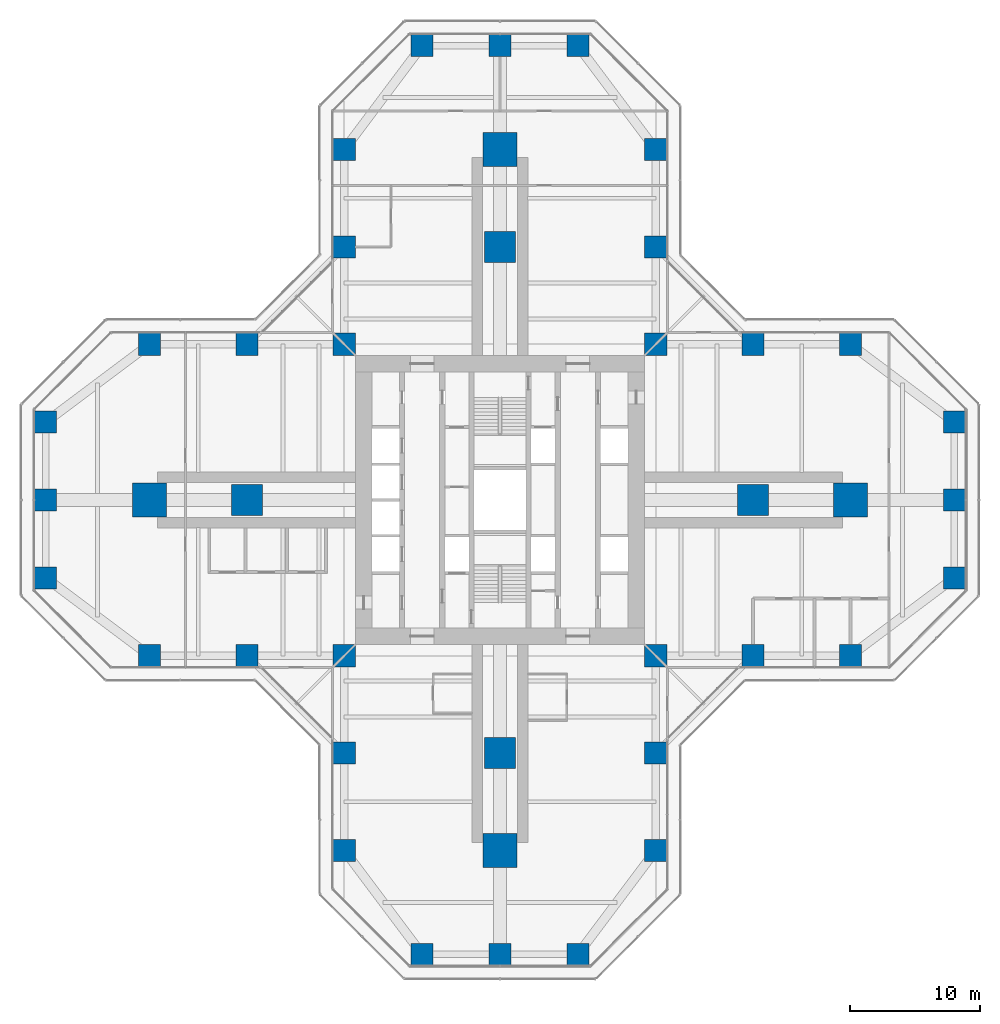
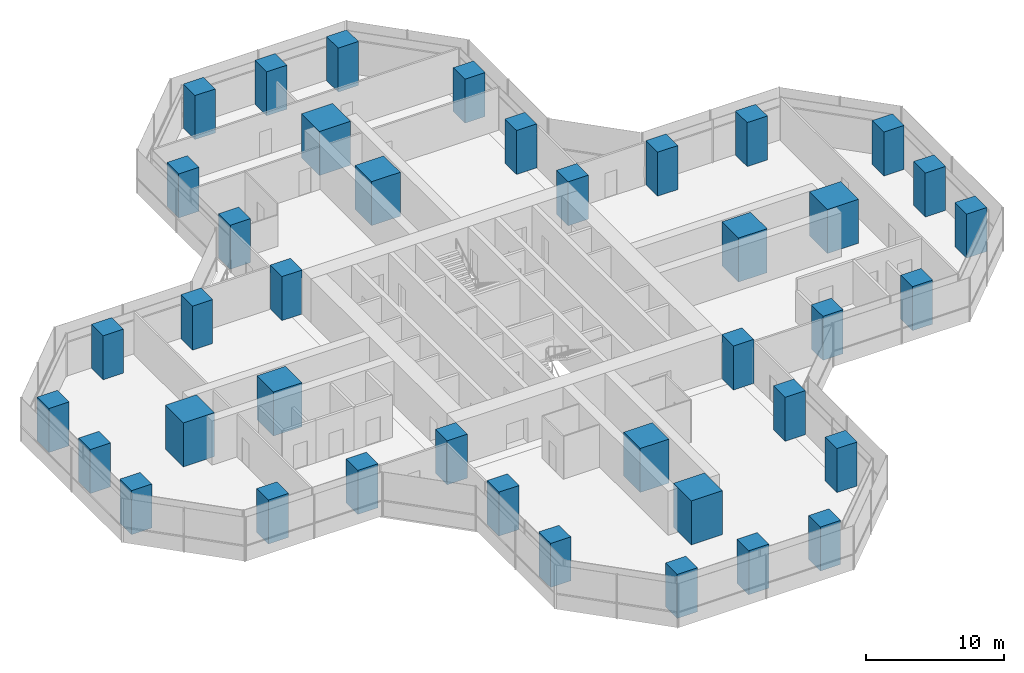
# One storey, part 1 of 22: 40 columns.
"""IFC4 building model written with IfcOpenShell, lengths in metres."""

from ifc_helpers import new_model, si_unit, direction, frame, origin, origin_2d, place, context, subcontext, project, spatial, rectangle, extrude, material, material_profile, profile_set, type_object, element, save


model = new_model("IFC4")

# Units and contexts
model_context = context("Model", 3, precision=1e-05, world=origin(), true_north=direction((0.0, 1.0)))
body_context = subcontext(model_context, "Body", "Model", "MODEL_VIEW")
ifc_project = project(units=[si_unit("LENGTHUNIT", "METRE"), si_unit("AREAUNIT", "SQUARE_METRE"), si_unit("VOLUMEUNIT", "CUBIC_METRE"), si_unit("PLANEANGLEUNIT", "RADIAN"), si_unit("MASSUNIT", "GRAM", prefix="KILO")], contexts=[model_context])

# Site, building, storey
site_placement = place(None, origin())
site = spatial("IfcSite", under=ifc_project, at=site_placement, CompositionType="ELEMENT")
building_placement = place(site_placement, origin())
building = spatial("IfcBuilding", under=site, at=building_placement, Name="Mizan Broadcast Tower", CompositionType="ELEMENT")
storey_placement = place(building_placement, frame((0.0, 0.0, 43.5)))
storey = spatial("IfcBuildingStorey", under=building, at=storey_placement, Name="L07", CompositionType="ELEMENT", Elevation=43.5)

# Columns
ifc_material_1 = material(Name="Concrete C70/85", Category="concrete")
ifc_material_profile_1 = material_profile(ifc_material_1, rectangle(XDim=1.699951171875, YDim=1.699951171875, at=origin_2d()), Name="RC 1700x1700")
ifc_profile_set_1 = profile_set([ifc_material_profile_1], Name="Concrete C70/85")
column_type_1 = type_object("IfcColumnType", Name="RC COLUMN 1700x1700 C70/85", PredefinedType="COLUMN", material=ifc_profile_set_1)
for number, where, z_axis, x_axis, name in (
    (1, (-6.0, -35.0, 0.0), (0.0, 0.0, 1.0), (1.0, 0.0, 0.0), "Column 5/A L07"),
    (2, (0.0, -35.0, 0.0), (0.0, 0.0, 1.0), (1.0, 0.0, 0.0), "Column 6/A L07"),
    (3, (6.0, -35.0, 0.0), (0.0, 0.0, 1.0), (1.0, 0.0, 0.0), "Column 7/A L07"),
    (4, (-12.0, -27.0, 0.0), (0.0, 0.0, 1.0), (1.0, 0.0, 0.0), "Column 4/B L07"),
    (5, (12.0, -27.0, 0.0), (0.0, 0.0, 1.0), (1.0, 0.0, 0.0), "Column 8/B L07"),
    (6, (-12.0, -19.5, 0.0), (0.0, 0.0, 1.0), (1.0, 0.0, 0.0), "Column 4/C L07"),
    (7, (12.0, -19.5, 0.0), (0.0, 0.0, 1.0), (1.0, 0.0, 0.0), "Column 8/C L07"),
    (8, (-27.0, -12.0, 0.0), (0.0, 0.0, 1.0), (1.0, 0.0, 0.0), "Column 2/D L07"),
    (9, (-19.5, -12.0, 0.0), (0.0, 0.0, 1.0), (1.0, 0.0, 0.0), "Column 3/D L07"),
    (10, (-12.0, -12.0, 0.0), (0.0, 0.0, 1.0), (1.0, 0.0, 0.0), "Column 4/D L07"),
    (11, (12.0, -12.0, 0.0), (0.0, 0.0, 1.0), (1.0, 0.0, 0.0), "Column 8/D L07"),
    (12, (19.5, -12.0, 0.0), (0.0, 0.0, 1.0), (1.0, 0.0, 0.0), "Column 9/D L07"),
    (13, (27.0, -12.0, 0.0), (0.0, 0.0, 1.0), (1.0, 0.0, 0.0), "Column 10/D L07"),
    (14, (-35.0, -6.0, 0.0), (0.0, 0.0, 1.0), (1.0, 0.0, 0.0), "Column 1/E L07"),
    (15, (35.0, -6.0, 0.0), (0.0, 0.0, 1.0), (1.0, 0.0, 0.0), "Column 11/E L07"),
    (16, (-35.0, 0.0, 0.0), (0.0, 0.0, 1.0), (1.0, 0.0, 0.0), "Column 1/F L07"),
    (17, (35.0, 0.0, 0.0), (0.0, 0.0, 1.0), (1.0, 0.0, 0.0), "Column 11/F L07"),
    (18, (-35.0, 6.0, 0.0), (0.0, 0.0, 1.0), (1.0, 0.0, 0.0), "Column 1/G L07"),
    (19, (35.0, 6.0, 0.0), (0.0, 0.0, 1.0), (1.0, 0.0, 0.0), "Column 11/G L07"),
    (20, (-27.0, 12.0, 0.0), (0.0, 0.0, 1.0), (1.0, 0.0, 0.0), "Column 2/H L07"),
    (21, (-19.5, 12.0, 0.0), (0.0, 0.0, 1.0), (1.0, 0.0, 0.0), "Column 3/H L07"),
    (22, (-12.0, 12.0, 0.0), (0.0, 0.0, 1.0), (1.0, 0.0, 0.0), "Column 4/H L07"),
    (23, (12.0, 12.0, 0.0), (0.0, 0.0, 1.0), (1.0, 0.0, 0.0), "Column 8/H L07"),
    (24, (19.5, 12.0, 0.0), (0.0, 0.0, 1.0), (1.0, 0.0, 0.0), "Column 9/H L07"),
    (25, (27.0, 12.0, 0.0), (0.0, 0.0, 1.0), (1.0, 0.0, 0.0), "Column 10/H L07"),
    (26, (-12.0, 19.5, 0.0), (0.0, 0.0, 1.0), (1.0, 0.0, 0.0), "Column 4/J L07"),
    (27, (12.0, 19.5, 0.0), (0.0, 0.0, 1.0), (1.0, 0.0, 0.0), "Column 8/J L07"),
    (28, (-12.0, 27.0, 0.0), (0.0, 0.0, 1.0), (1.0, 0.0, 0.0), "Column 4/K L07"),
    (29, (12.0, 27.0, 0.0), (0.0, 0.0, 1.0), (1.0, 0.0, 0.0), "Column 8/K L07"),
    (30, (-6.0, 35.0, 0.0), (0.0, 0.0, 1.0), (1.0, 0.0, 0.0), "Column 5/L L07"),
    (31, (0.0, 35.0, 0.0), (0.0, 0.0, 1.0), (1.0, 0.0, 0.0), "Column 6/L L07"),
    (32, (6.0, 35.0, 0.0), (0.0, 0.0, 1.0), (1.0, 0.0, 0.0), "Column 7/L L07"),
):
    element("IfcColumn", number, at=place(storey_placement, frame(where, z_axis=z_axis, x_axis=x_axis)), inside=storey, type_object=column_type_1, Name=name, PredefinedType="COLUMN", context=body_context, shape_type="SweptSolid", body=[
        extrude(rectangle(XDim=1.699951171875, YDim=1.699951171875, at=origin_2d()), origin(), (0.0, 0.0, 1.0), 3.89990234375),
    ])
ifc_material_2 = material(Name="Concrete C70/85", Category="concrete")
ifc_material_profile_2 = material_profile(ifc_material_2, rectangle(XDim=2.39990234375, YDim=2.39990234375, at=origin_2d()), Name="RC 2400x2400")
ifc_profile_set_2 = profile_set([ifc_material_profile_2], Name="Concrete C70/85")
column_type_2 = type_object("IfcColumnType", Name="RC COLUMN 2400x2400 C70/85", PredefinedType="COLUMN", material=ifc_profile_set_2)
for number, where, z_axis, x_axis, name in (
    (33, (0.0, -19.5, 0.0), (0.0, 0.0, 1.0), (1.0, 0.0, 0.0), "Column 6/C L07"),
    (34, (-19.5, 0.0, 0.0), (0.0, 0.0, 1.0), (1.0, 0.0, 0.0), "Column 3/F L07"),
    (35, (19.5, 0.0, 0.0), (0.0, 0.0, 1.0), (1.0, 0.0, 0.0), "Column 9/F L07"),
    (36, (0.0, 19.5, 0.0), (0.0, 0.0, 1.0), (1.0, 0.0, 0.0), "Column 6/J L07"),
):
    element("IfcColumn", number, at=place(storey_placement, frame(where, z_axis=z_axis, x_axis=x_axis)), inside=storey, type_object=column_type_2, Name=name, PredefinedType="COLUMN", context=body_context, shape_type="SweptSolid", body=[
        extrude(rectangle(XDim=2.39990234375, YDim=2.39990234375, at=origin_2d()), origin(), (0.0, 0.0, 1.0), 3.89990234375),
    ])
ifc_material_3 = material(Name="Concrete C70/85", Category="concrete")
ifc_material_profile_3 = material_profile(ifc_material_3, rectangle(XDim=2.60009765625, YDim=2.60009765625, at=origin_2d()), Name="RC 2600x2600")
ifc_profile_set_3 = profile_set([ifc_material_profile_3], Name="Concrete C70/85")
column_type_3 = type_object("IfcColumnType", Name="RC COLUMN 2600x2600 C70/85", PredefinedType="COLUMN", material=ifc_profile_set_3)
for number, where, z_axis, x_axis, name in (
    (37, (0.0, -27.0, 0.0), (0.0, 0.0, 1.0), (1.0, 0.0, 0.0), "Column 6/B L07"),
    (38, (-27.0, 0.0, 0.0), (0.0, 0.0, 1.0), (1.0, 0.0, 0.0), "Column 2/F L07"),
    (39, (27.0, 0.0, 0.0), (0.0, 0.0, 1.0), (1.0, 0.0, 0.0), "Column 10/F L07"),
    (40, (0.0, 27.0, 0.0), (0.0, 0.0, 1.0), (1.0, 0.0, 0.0), "Column 6/K L07"),
):
    element("IfcColumn", number, at=place(storey_placement, frame(where, z_axis=z_axis, x_axis=x_axis)), inside=storey, type_object=column_type_3, Name=name, PredefinedType="COLUMN", context=body_context, shape_type="SweptSolid", body=[
        extrude(rectangle(XDim=2.60009765625, YDim=2.60009765625, at=origin_2d()), origin(), (0.0, 0.0, 1.0), 3.89990234375),
    ])

save(model, "model.ifc")
